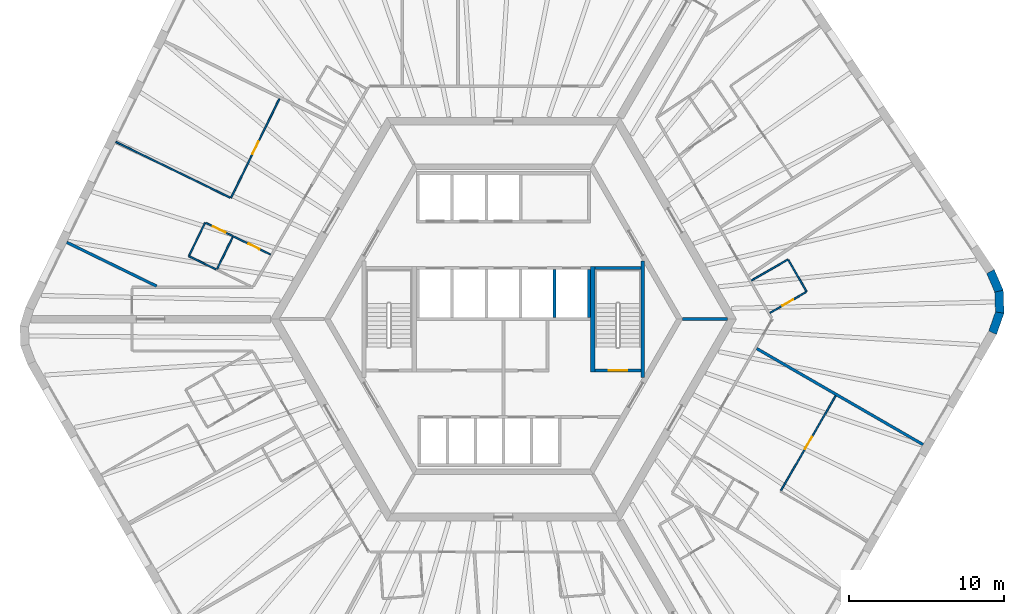
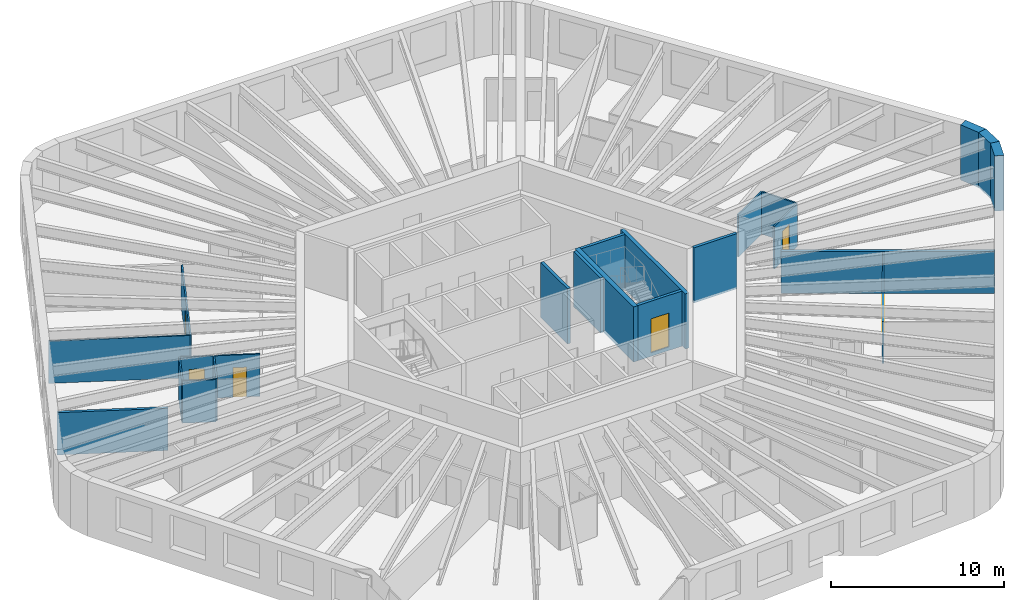
# One storey, part 6 of 10: 23 walls, 6 doors, 6 openings.
"""IFC4 building model written with IfcOpenShell, lengths in metres."""

import ifcopenshell
import ifcopenshell.guid

model = None  # the IFC model being written
_history = None  # IfcOwnerHistory: only IFC2X3 demands one
_inside = {}  # id of a spatial element -> (the spatial element, [elements in it])
_under = {}  # id of a project, library or spatial element -> (it, [spatial elements below it])
_declared = {}  # id of a project -> (the project, [libraries it declares])
_typed = {}  # id of a type object -> (the type object, [elements of that type])
_made_of = {}  # id of a material, layer set ... -> (it, [elements and type objects made of it])


def new_model(schema):
    """Start an empty IFC model of exactly this schema.

    Asked for "IFC4X3", IfcOpenShell would pick the latest addendum, in which some entities
    have other attributes; the version numbers below select the first issue.
    IFC2X3 requires an IfcOwnerHistory on every rooted entity: one is made here for all.
    """
    global model, _history
    if schema == "IFC4X3":
        model = ifcopenshell.file(schema_version=(4, 3, 0, 0))
    else:
        model = ifcopenshell.file(schema=schema)
    _inside.clear()
    _under.clear()
    _declared.clear()
    _typed.clear()
    _made_of.clear()
    _history = None
    if model.schema == "IFC2X3":
        org = make("IfcOrganization", Name="unknown")
        user = make(
            "IfcPersonAndOrganization",
            ThePerson=make("IfcPerson", FamilyName="unknown"),
            TheOrganization=org,
        )
        app = make(
            "IfcApplication",
            ApplicationDeveloper=org,
            Version="unknown",
            ApplicationFullName="unknown",
            ApplicationIdentifier="unknown",
        )
        _history = make(
            "IfcOwnerHistory",
            OwningUser=user,
            OwningApplication=app,
            ChangeAction="ADDED",
            CreationDate=0,
        )
    return model


def make(cls, **values):
    """One entity of the class cls with the attributes given. An attribute that is None is left unset."""
    return model.create_entity(
        cls, **{name: value for name, value in values.items() if value is not None}
    )


def rooted(cls, **values):
    """An entity with a GlobalId (a new one), such as an element, a storey or a relation."""
    return make(cls, GlobalId=ifcopenshell.guid.new(), OwnerHistory=_history, **values)


def si_unit(unit_type, name, prefix=None):
    """IfcSIUnit, for example si_unit("LENGTHUNIT", "METRE", prefix="MILLI")."""
    return make("IfcSIUnit", UnitType=unit_type, Prefix=prefix, Name=name)


def assignment(units):
    """IfcUnitAssignment: the units of a project."""
    return None if units is None else make("IfcUnitAssignment", Units=units)


def point(xyz):
    """IfcCartesianPoint."""
    return None if xyz is None else make("IfcCartesianPoint", Coordinates=xyz)


def direction(xyz):
    """IfcDirection."""
    return None if xyz is None else make("IfcDirection", DirectionRatios=xyz)


def frame(location, z_axis=None, x_axis=None):
    """IfcAxis2Placement3D, a coordinate frame: its origin and axes. An axis left out is left unset."""
    return make(
        "IfcAxis2Placement3D",
        Location=point(location),
        Axis=direction(z_axis),
        RefDirection=direction(x_axis),
    )


def frame_2d(location, x_axis=None):
    """IfcAxis2Placement2D, a coordinate frame in the plane: its origin and x axis."""
    return make(
        "IfcAxis2Placement2D", Location=point(location), RefDirection=direction(x_axis)
    )


def origin():
    """The frame at (0, 0, 0) with its axes left unset."""
    return frame((0.0, 0.0, 0.0))


def place(relative_to, where):
    """IfcLocalPlacement: puts the frame where relative to a parent placement (None: the world)."""
    return make(
        "IfcLocalPlacement", PlacementRelTo=relative_to, RelativePlacement=where
    )


def context(
    kind, dimensions, precision=None, world=None, true_north=None, identifier=None
):
    """IfcGeometricRepresentationContext, for example the 3D "Model" context."""
    return make(
        "IfcGeometricRepresentationContext",
        ContextIdentifier=identifier,
        ContextType=kind,
        CoordinateSpaceDimension=dimensions,
        Precision=precision,
        WorldCoordinateSystem=world,
        TrueNorth=true_north,
    )


def subcontext(parent, identifier, kind, view, scale=None):
    """IfcGeometricRepresentationSubContext, for example "Body" below "Model"."""
    return make(
        "IfcGeometricRepresentationSubContext",
        ContextIdentifier=identifier,
        ContextType=kind,
        ParentContext=parent,
        TargetScale=scale,
        TargetView=view,
    )


def project(units=None, contexts=None):
    """IfcProject with its units and contexts."""
    return rooted(
        "IfcProject",
        Name="project",
        RepresentationContexts=contexts,
        UnitsInContext=assignment(units),
    )


def spatial(cls, under=None, at=None, **own):
    """A site, building, storey or space (cls), placed at a placement, below another one or the project."""
    s = rooted(cls, ObjectPlacement=at, **own)
    if under is not None:
        _under.setdefault(under.id(), (under, []))[1].append(s)
    return s


def polyline(points):
    """IfcPolyline through the points."""
    return make("IfcPolyline", Points=[point(p) for p in points])


def profile(cls, at=None, kind="AREA", **sizes):
    """A parametric profile (cls). Its sizes go by their IFC names, for example OverallWidth=200.0."""
    return make(cls, ProfileType=kind, Position=at, **sizes)


def rectangle(**sizes):
    """IfcRectangleProfileDef."""
    return profile("IfcRectangleProfileDef", **sizes)


def outline(outer, holes=None, kind="AREA"):
    """IfcArbitraryClosedProfileDef: a profile drawn as a closed curve; with holes, ...WithVoids."""
    if holes is None:
        return make("IfcArbitraryClosedProfileDef", ProfileType=kind, OuterCurve=outer)
    return make(
        "IfcArbitraryProfileDefWithVoids",
        ProfileType=kind,
        OuterCurve=outer,
        InnerCurves=holes,
    )


def extrude(swept, where, along, depth):
    """IfcExtrudedAreaSolid: the profile swept, set in the frame where, extruded along a direction by depth."""
    return make(
        "IfcExtrudedAreaSolid",
        SweptArea=swept,
        Position=where,
        ExtrudedDirection=direction(along),
        Depth=depth,
    )


def shape(context_of_items, identifier, shape_type, items):
    """IfcShapeRepresentation: the items that make up one representation, for example the "Body"."""
    return make(
        "IfcShapeRepresentation",
        ContextOfItems=context_of_items,
        RepresentationIdentifier=identifier,
        RepresentationType=shape_type,
        Items=items,
    )


def material(Name=None, Category=None):
    """IfcMaterial."""
    return make("IfcMaterial", Name=Name, Category=Category)


def layer(
    of_material, thickness, ventilated=None, Name=None, Category=None, Priority=None
):
    """IfcMaterialLayer: one layer of a wall or slab, of a material (None: an air gap)."""
    return make(
        "IfcMaterialLayer",
        Material=of_material,
        LayerThickness=thickness,
        IsVentilated=ventilated,
        Name=Name,
        Category=Category,
        Priority=Priority,
    )


def layer_set(layers, Name=None):
    """IfcMaterialLayerSet."""
    return make("IfcMaterialLayerSet", MaterialLayers=layers, LayerSetName=Name)


def made_of(thing, what):
    """Note that an element or type object is made of a material, layer set ...; save() writes the relation."""
    if what is not None:
        _made_of.setdefault(what.id(), (what, []))[1].append(thing)
    return thing


def type_object(cls, material=None, **own):
    """A type object (cls), such as IfcWallType, which elements share."""
    return made_of(rooted(cls, **own), material)


def element(
    cls,
    number,
    at=None,
    inside=None,
    cuts=None,
    type_object=None,
    material=None,
    context=None,
    identifier="Body",
    shape_type=None,
    held_by="IfcProductDefinitionShape",
    body=None,
    shapes=None,
    **own,
):
    """One element of the class cls, such as IfcWall. Its Tag is "e" and its number.

    at: its placement. inside: the storey or other place that contains it. cuts: it is an
    opening in that element (IfcRelVoidsElement). A single representation is given by context,
    identifier, shape_type and body (its items); several are given by shapes. held_by: the class
    of the entity that holds the representations. save() writes the other relations.
    """
    e = rooted(cls, Tag="e%d" % number, ObjectPlacement=at, **own)
    if body is not None:
        shapes = [shape(context, identifier, shape_type, body)]
    if shapes is not None:
        e.Representation = make(held_by, Representations=shapes)
    if inside is not None:
        _inside.setdefault(inside.id(), (inside, []))[1].append(e)
    if cuts is not None:
        rooted(
            "IfcRelVoidsElement", RelatingBuildingElement=cuts, RelatedOpeningElement=e
        )
    if type_object is not None:
        _typed.setdefault(type_object.id(), (type_object, []))[1].append(e)
    return made_of(e, material)


def fill(opening, filler):
    """IfcRelFillsElement: the door or window that sits in an opening."""
    return rooted(
        "IfcRelFillsElement",
        RelatingOpeningElement=opening,
        RelatedBuildingElement=filler,
    )


def aggregate(whole, parts):
    """IfcRelAggregates: a whole, such as a stair, and the parts it consists of."""
    return rooted("IfcRelAggregates", RelatingObject=whole, RelatedObjects=parts)


def save(model, path):
    """Write the relations noted so far, then the file.

    IfcRelAggregates (storeys below a building ...), IfcRelContainedInSpatialStructure (elements
    in a storey), IfcRelDefinesByType, IfcRelAssociatesMaterial and IfcRelDeclares: one each for
    every whole, place, type object, material and project.
    """
    for whole, parts in _under.values():
        aggregate(whole, parts)
    for where, things in _inside.values():
        rooted(
            "IfcRelContainedInSpatialStructure",
            RelatedElements=things,
            RelatingStructure=where,
        )
    for kind, things in _typed.values():
        rooted("IfcRelDefinesByType", RelatedObjects=things, RelatingType=kind)
    for what, things in _made_of.values():
        rooted("IfcRelAssociatesMaterial", RelatedObjects=things, RelatingMaterial=what)
    for by, libraries in _declared.values():
        rooted("IfcRelDeclares", RelatingContext=by, RelatedDefinitions=libraries)
    model.write(path)


model = new_model("IFC4")

# Units and contexts
model_context = context("Model", 3, precision=1e-05, world=origin(), true_north=direction((0.0, 1.0)))
body_context = subcontext(model_context, "Body", "Model", "MODEL_VIEW")
ifc_project = project(units=[si_unit("LENGTHUNIT", "METRE"), si_unit("AREAUNIT", "SQUARE_METRE"), si_unit("VOLUMEUNIT", "CUBIC_METRE"), si_unit("PLANEANGLEUNIT", "RADIAN"), si_unit("MASSUNIT", "GRAM", prefix="KILO")], contexts=[model_context])

# Site, building, storey
site_placement = place(None, origin())
site = spatial("IfcSite", under=ifc_project, at=site_placement, CompositionType="ELEMENT")
building_placement = place(site_placement, origin())
building = spatial("IfcBuilding", under=site, at=building_placement, Name="Tarnside Tower", CompositionType="ELEMENT")
storey_placement = place(building_placement, frame((0.0, 0.0, 168.300048828125)))
storey = spatial("IfcBuildingStorey", under=building, at=storey_placement, Name="L39", CompositionType="ELEMENT", Elevation=168.300048828125)

# Wall, opening, door
ifc_material_1 = material(Name="Gypsum board partition on steel studs", Category="steel")
ifc_layer_1 = layer(ifc_material_1, 0.10009765625)
ifc_layer_set_1 = layer_set([ifc_layer_1], Name="Bathroom wall 100")
wall_type_1 = type_object("IfcWallType", Name="Bathroom wall 100", PredefinedType="PARTITIONING", material=ifc_layer_set_1)
wall_1_placement = place(storey_placement, frame((-17.412109375, 5.342041015625, 0.0), z_axis=(0.0, 0.0, 1.0), x_axis=(0.898825304183, -0.43830705283, 0.0)))
wall_1 = element("IfcWall", 1, at=wall_1_placement, inside=storey, type_object=wall_type_1, Name="Bathroom wall 12053", PredefinedType="PARTITIONING", context=body_context, shape_type="SweptSolid", body=[
    extrude(rectangle(XDim=2.681884765625, YDim=0.10009765625, at=frame_2d((1.3408203125, 0.0))), origin(), (0.0, 0.0, 1.0), 2.98779296875),
])
opening_1_placement = place(wall_1_placement, frame((1.10009765625, 0.0, 0.0)))
opening_1 = element("IfcOpeningElement", 2, at=opening_1_placement, cuts=wall_1, Name="Opening D-B1", PredefinedType="OPENING", context=body_context, shape_type="SweptSolid", body=[
    extrude(rectangle(XDim=0.800048828125, YDim=2.10009765625, at=frame_2d((0.39990234375, 1.050048828125))), frame((0.0, 0.06005859375, 0.0), z_axis=(0.0, -1.0, 0.0), x_axis=(1.0, 0.0, 0.0)), (0.0, 0.0, 1.0), 0.1201171875),
])
ifc_material_2 = material(Name="Timber door leaf", Category="wood")
door_type_1 = type_object("IfcDoorType", Name="Bathroom door 800", OperationType="NOTDEFINED", PredefinedType="DOOR", material=ifc_material_2)
door_1_placement = place(opening_1_placement, origin())
door_1 = element("IfcDoor", 3, at=door_1_placement, inside=storey, type_object=door_type_1, Name="Bathroom door 12006", OperationType="SINGLE_SWING_LEFT", OverallHeight=2.10009765625, OverallWidth=0.800048828125, PredefinedType="DOOR", context=body_context, shape_type="SweptSolid", body=[
    extrude(rectangle(XDim=0.800048828125, YDim=2.10009765625, at=frame_2d((0.39990234375, 1.050048828125))), frame((0.0, 0.02490234375, 0.0), z_axis=(0.0, -1.0, 0.0), x_axis=(1.0, 0.0, 0.0)), (0.0, 0.0, 1.0), 0.050048828125),
])
fill(opening_1, door_1)

# Walls
wall_2_placement = place(storey_placement, frame((-17.433837890625, 5.297119140625, 0.0), z_axis=(0.0, 0.0, 1.0), x_axis=(-0.438402718006, -0.898778647302, 0.0)))
element("IfcWall", 4, at=wall_2_placement, inside=storey, type_object=wall_type_1, Name="Bathroom wall 12060", PredefinedType="PARTITIONING", context=body_context, shape_type="SweptSolid", body=[
    extrude(rectangle(XDim=2.300048828125, YDim=0.10009765625, at=frame_2d((1.14990234375, 0.0))), origin(), (0.0, 0.0, 1.0), 2.98779296875),
])
wall_3_placement = place(storey_placement, frame((15.972900390625, 2.484375, 0.0), z_axis=(0.0, 0.0, 1.0), x_axis=(0.866051307416, 0.49995513091, 0.0)))
element("IfcWall", 5, at=wall_3_placement, inside=storey, type_object=wall_type_1, Name="Bathroom wall 12099", PredefinedType="PARTITIONING", context=body_context, shape_type="SweptSolid", body=[
    extrude(rectangle(XDim=2.724853515625, YDim=0.10009765625, at=frame_2d((1.3623046875, 0.0))), origin(), (0.0, 0.0, 1.0), 2.98779296875),
])
wall_4_placement = place(storey_placement, frame((18.357666015625, 3.803466796875, 0.0), z_axis=(0.0, 0.0, 1.0), x_axis=(0.500016218704, -0.866016039709, 0.0)))
element("IfcWall", 6, at=wall_4_placement, inside=storey, type_object=wall_type_1, Name="Bathroom wall 12100", PredefinedType="PARTITIONING", context=body_context, shape_type="SweptSolid", body=[
    extrude(rectangle(XDim=2.35009765625, YDim=0.10009765625, at=frame_2d((1.175048828125, 0.0))), origin(), (0.0, 0.0, 1.0), 2.98779296875),
])

# Wall, opening, door
wall_5_placement = place(storey_placement, frame((19.489501953125, 1.743408203125, 0.0), z_axis=(0.0, 0.0, 1.0), x_axis=(-0.866004723184, -0.50003581814, 0.0)))
wall_5 = element("IfcWall", 7, at=wall_5_placement, inside=storey, type_object=wall_type_1, Name="Bathroom wall 12101", PredefinedType="PARTITIONING", context=body_context, shape_type="SweptSolid", body=[
    extrude(rectangle(XDim=2.675048828125, YDim=0.10009765625, at=frame_2d((1.33740234375, 0.0))), origin(), (0.0, 0.0, 1.0), 2.98779296875),
])
opening_2_placement = place(wall_5_placement, frame((0.949951171875, 0.0, 0.0)))
opening_2 = element("IfcOpeningElement", 8, at=opening_2_placement, cuts=wall_5, Name="Opening D-B1", PredefinedType="OPENING", context=body_context, shape_type="SweptSolid", body=[
    extrude(rectangle(XDim=0.800048828125, YDim=2.10009765625, at=frame_2d((0.39990234375, 1.050048828125))), frame((0.0, 0.06005859375, 0.0), z_axis=(0.0, -1.0, 0.0), x_axis=(1.0, 0.0, 0.0)), (0.0, 0.0, 1.0), 0.1201171875),
])
door_2_placement = place(opening_2_placement, origin())
door_2 = element("IfcDoor", 9, at=door_2_placement, inside=storey, type_object=door_type_1, Name="Bathroom door 12029", OperationType="SINGLE_SWING_RIGHT", OverallHeight=2.10009765625, OverallWidth=0.800048828125, PredefinedType="DOOR", context=body_context, shape_type="SweptSolid", body=[
    extrude(rectangle(XDim=0.800048828125, YDim=2.10009765625, at=frame_2d((0.39990234375, 1.050048828125))), frame((0.0, 0.02490234375, 0.0), z_axis=(0.0, -1.0, 0.0), x_axis=(1.0, 0.0, 0.0)), (0.0, 0.0, 1.0), 0.050048828125),
])
fill(opening_2, door_2)

# Walls
ifc_layer_2 = layer(ifc_material_1, 0.179931640625)
ifc_layer_set_2 = layer_set([ifc_layer_2], Name="Demising wall 180 EI 60")
wall_type_2 = type_object("IfcWallType", Name="Demising wall 180 EI 60", PredefinedType="PARTITIONING", material=ifc_layer_set_2)
wall_6_placement = place(storey_placement, frame((-28.127197265625, 4.948974609375, 0.0), z_axis=(0.0, 0.0, 1.0), x_axis=(0.898795032868, -0.438369124017, 0.0)))
element("IfcWall", 10, at=wall_6_placement, inside=storey, type_object=wall_type_2, Name="Demising wall 12059", PredefinedType="PARTITIONING", context=body_context, shape_type="SweptSolid", body=[
    extrude(rectangle(XDim=6.44189453125, YDim=0.179931640625, at=frame_2d((3.220947265625, 0.0))), origin(), (0.0, 0.0, 1.0), 2.98779296875),
])
wall_7_placement = place(storey_placement, frame((27.03125, -8.080322265625, 0.0), z_axis=(0.0, 0.0, 1.0), x_axis=(-0.866024931941, 0.500000817256, 0.0)))
element("IfcWall", 11, at=wall_7_placement, inside=storey, type_object=wall_type_2, Name="Demising wall 12096", PredefinedType="PARTITIONING", context=body_context, shape_type="SweptSolid", body=[
    extrude(rectangle(XDim=12.375, YDim=0.179931640625, at=frame_2d((6.1875, 0.0))), origin(), (0.0, 0.0, 1.0), 2.98779296875),
])
ifc_material_3 = material(Name="Concrete C40/50", Category="concrete")
ifc_layer_3 = layer(ifc_material_3, 0.199951171875)
ifc_layer_set_3 = layer_set([ifc_layer_3], Name="Lift shaft wall 200 C40/50")
wall_type_3 = type_object("IfcWallType", Name="Lift shaft wall 200 C40/50", PredefinedType="SHEAR", material=ifc_layer_set_3)
for number, where, z_axis, x_axis, name in (
    (12, (3.300048828125, 0.10009765625, -0.25), (0.0, 0.0, 1.0), (0.0, 1.0, 0.0), "L39 lift shaft partition R25"),
    (13, (5.5, 0.10009765625, -0.25), (0.0, 0.0, 1.0), (0.0, 1.0, 0.0), "L39 lift shaft partition R26"),
):
    element("IfcWall", number, at=place(storey_placement, frame(where, z_axis=z_axis, x_axis=x_axis)), inside=storey, type_object=wall_type_3, Name=name, PredefinedType="SHEAR", context=body_context, shape_type="SweptSolid", body=[
        extrude(rectangle(XDim=3.099853515625, YDim=0.199951171875, at=frame_2d((1.5498046875, 0.0))), origin(), (0.0, 0.0, 1.0), 3.89990234375),
    ])
wall_8_placement = place(storey_placement, frame((11.547119140625, 0.0, -0.150146484375), z_axis=(0.0, 0.0, 1.0), x_axis=(1.0, 0.0, 0.0)))
element("IfcWall", 14, at=wall_8_placement, inside=storey, type_object=wall_type_3, Name="L39 core partition AR0", PredefinedType="SHEAR", context=body_context, shape_type="SweptSolid", body=[
    extrude(rectangle(XDim=2.88671875, YDim=0.199951171875, at=frame_2d((1.443359375, 0.0))), origin(), (0.0, 0.0, 1.0), 3.900146484375),
])
wall_9_placement = place(storey_placement, frame((5.89990234375, 3.300048828125, -0.25), z_axis=(0.0, 0.0, 1.0), x_axis=(1.0, 0.0, 0.0)))
element("IfcWall", 15, at=wall_9_placement, inside=storey, type_object=wall_type_3, Name="L39 stair 1 enclosure cap wall n", PredefinedType="SHEAR", context=body_context, shape_type="SweptSolid", body=[
    extrude(rectangle(XDim=2.9501953125, YDim=0.199951171875, at=frame_2d((1.47509765625, 0.0))), origin(), (0.0, 0.0, 1.0), 3.89990234375),
])

# Wall, opening, door
wall_10_placement = place(storey_placement, frame((5.89990234375, -3.300048828125, -0.25), z_axis=(0.0, 0.0, 1.0), x_axis=(1.0, 0.0, 0.0)))
wall_10 = element("IfcWall", 16, at=wall_10_placement, inside=storey, type_object=wall_type_3, Name="L39 stair 1 enclosure cap wall s", PredefinedType="SHEAR", context=body_context, shape_type="SweptSolid", body=[
    extrude(rectangle(XDim=2.9501953125, YDim=0.199951171875, at=frame_2d((1.47509765625, 0.0))), origin(), (0.0, 0.0, 1.0), 3.89990234375),
])
opening_3_placement = place(wall_10_placement, frame((0.875, 0.0, 0.25)))
opening_3 = element("IfcOpeningElement", 17, at=opening_3_placement, cuts=wall_10, Name="Opening CD-STR", PredefinedType="OPENING", context=body_context, shape_type="SweptSolid", body=[
    extrude(rectangle(XDim=1.199951171875, YDim=2.39990234375, at=frame_2d((0.60009765625, 1.199951171875))), frame((0.0, 0.10986328125, 0.0), z_axis=(0.0, -1.0, 0.0), x_axis=(1.0, 0.0, 0.0)), (0.0, 0.0, 1.0), 0.219970703125),
])
ifc_material_4 = material(Name="Steel fire door", Category="steel")
door_type_2 = type_object("IfcDoorType", Name="Stair door FD60S 1200x2400", OperationType="NOTDEFINED", PredefinedType="DOOR", material=ifc_material_4)
door_3_placement = place(opening_3_placement, origin())
door_3 = element("IfcDoor", 18, at=door_3_placement, inside=storey, type_object=door_type_2, Name="L39 stair 1 door", OperationType="SINGLE_SWING_LEFT", OverallHeight=2.39990234375, OverallWidth=1.199951171875, PredefinedType="DOOR", context=body_context, shape_type="SweptSolid", body=[
    extrude(rectangle(XDim=1.199951171875, YDim=2.39990234375, at=frame_2d((0.60009765625, 1.199951171875))), frame((0.0, 0.02490234375, 0.0), z_axis=(0.0, -1.0, 0.0), x_axis=(1.0, 0.0, 0.0)), (0.0, 0.0, 1.0), 0.050048828125),
])
fill(opening_3, door_3)

# Walls
ifc_layer_4 = layer(ifc_material_1, 0.10009765625)
ifc_layer_set_4 = layer_set([ifc_layer_4], Name="Partition 100")
wall_type_4 = type_object("IfcWallType", Name="Partition 100", PredefinedType="PARTITIONING", material=ifc_layer_set_4)
wall_11_placement = place(storey_placement, frame((-18.509033203125, 3.20703125, 0.0), z_axis=(0.0, 0.0, 1.0), x_axis=(-0.898815368173, 0.438327427772, 0.0)))
element("IfcWall", 19, at=wall_11_placement, inside=storey, type_object=wall_type_4, Name="Partition wall 12054", PredefinedType="PARTITIONING", context=body_context, shape_type="SweptSolid", body=[
    extrude(rectangle(XDim=1.949951171875, YDim=0.10009765625, at=frame_2d((0.97509765625, 0.0))), origin(), (0.0, 0.0, 1.0), 2.98779296875),
])
wall_12_placement = place(storey_placement, frame((-20.23974609375, 4.106689453125, 0.0), z_axis=(0.0, 0.0, 1.0), x_axis=(0.438382697704, 0.89878841245, 0.0)))
element("IfcWall", 20, at=wall_12_placement, inside=storey, type_object=wall_type_4, Name="Partition wall 12055", PredefinedType="PARTITIONING", context=body_context, shape_type="SweptSolid", body=[
    extrude(rectangle(XDim=2.35009765625, YDim=0.10009765625, at=frame_2d((1.175048828125, 0.0))), origin(), (0.0, 0.0, 1.0), 2.98779296875),
])

# Wall, opening, door
wall_13_placement = place(storey_placement, frame((-19.16455078125, 6.197021484375, 0.0), z_axis=(0.0, 0.0, 1.0), x_axis=(0.898753624926, -0.43845401319, 0.0)))
wall_13 = element("IfcWall", 21, at=wall_13_placement, inside=storey, type_object=wall_type_4, Name="Partition wall 12056", PredefinedType="PARTITIONING", context=body_context, shape_type="SweptSolid", body=[
    extrude(rectangle(XDim=1.89990234375, YDim=0.10009765625, at=frame_2d((0.949951171875, 0.0))), origin(), (0.0, 0.0, 1.0), 2.98779296875),
])
opening_4_placement = place(wall_13_placement, frame((0.5, 0.0, 0.0)))
opening_4 = element("IfcOpeningElement", 22, at=opening_4_placement, cuts=wall_13, Name="Opening D-I1", PredefinedType="OPENING", context=body_context, shape_type="SweptSolid", body=[
    extrude(rectangle(XDim=0.89990234375, YDim=2.10009765625, at=frame_2d((0.449951171875, 1.050048828125))), frame((0.0, 0.06005859375, 0.0), z_axis=(0.0, -1.0, 0.0), x_axis=(1.0, 0.0, 0.0)), (0.0, 0.0, 1.0), 0.1201171875),
])
door_type_3 = type_object("IfcDoorType", Name="Internal door 900", OperationType="NOTDEFINED", PredefinedType="DOOR", material=ifc_material_2)
door_4_placement = place(opening_4_placement, origin())
door_4 = element("IfcDoor", 23, at=door_4_placement, inside=storey, type_object=door_type_3, Name="Internal door 12007", OperationType="SINGLE_SWING_RIGHT", OverallHeight=2.10009765625, OverallWidth=0.89990234375, PredefinedType="DOOR", context=body_context, shape_type="SweptSolid", body=[
    extrude(rectangle(XDim=0.89990234375, YDim=2.10009765625, at=frame_2d((0.449951171875, 1.050048828125))), frame((0.0, 0.02490234375, 0.0), z_axis=(0.0, -1.0, 0.0), x_axis=(1.0, 0.0, 0.0)), (0.0, 0.0, 1.0), 0.050048828125),
])
fill(opening_4, door_4)

wall_14_placement = place(storey_placement, frame((-14.431396484375, 14.1904296875, 0.0), z_axis=(0.0, 0.0, 1.0), x_axis=(-0.438387776054, -0.898785935475, 0.0)))
wall_14 = element("IfcWall", 24, at=wall_14_placement, inside=storey, type_object=wall_type_4, Name="Partition wall 12057", PredefinedType="PARTITIONING", context=body_context, shape_type="SweptSolid", body=[
    extrude(rectangle(XDim=7.110107421875, YDim=0.10009765625, at=frame_2d((3.55517578125, 0.0))), origin(), (0.0, 0.0, 1.0), 2.98779296875),
])
opening_5_placement = place(wall_14_placement, frame((3.06005859375, 0.0, 0.0)))
opening_5 = element("IfcOpeningElement", 25, at=opening_5_placement, cuts=wall_14, Name="Opening D-I1", PredefinedType="OPENING", context=body_context, shape_type="SweptSolid", body=[
    extrude(rectangle(XDim=0.89990234375, YDim=2.10009765625, at=frame_2d((0.449951171875, 1.050048828125))), frame((0.0, 0.06005859375, 0.0), z_axis=(0.0, -1.0, 0.0), x_axis=(1.0, 0.0, 0.0)), (0.0, 0.0, 1.0), 0.1201171875),
])
door_5_placement = place(opening_5_placement, origin())
door_5 = element("IfcDoor", 26, at=door_5_placement, inside=storey, type_object=door_type_3, Name="Internal door 12008", OperationType="SINGLE_SWING_RIGHT", OverallHeight=2.10009765625, OverallWidth=0.89990234375, PredefinedType="DOOR", context=body_context, shape_type="SweptSolid", body=[
    extrude(rectangle(XDim=0.89990234375, YDim=2.10009765625, at=frame_2d((0.449951171875, 1.050048828125))), frame((0.0, 0.02490234375, 0.0), z_axis=(0.0, -1.0, 0.0), x_axis=(1.0, 0.0, 0.0)), (0.0, 0.0, 1.0), 0.050048828125),
])
fill(opening_5, door_5)

# Wall
wall_15_placement = place(storey_placement, frame((-17.59326171875, 7.822021484375, 0.0), z_axis=(0.0, 0.0, 1.0), x_axis=(-0.898803316846, 0.438352138842, 0.0)))
element("IfcWall", 27, at=wall_15_placement, inside=storey, type_object=wall_type_4, Name="Partition wall 12058", PredefinedType="PARTITIONING", context=body_context, shape_type="SweptSolid", body=[
    extrude(rectangle(XDim=8.208251953125, YDim=0.10009765625, at=frame_2d((4.10400390625, 0.0))), origin(), (0.0, 0.0, 1.0), 2.98779296875),
])

# Wall, opening, door
wall_16_placement = place(storey_placement, frame((17.870361328125, -11.04736328125, 0.0), z_axis=(0.0, 0.0, 1.0), x_axis=(0.500010820671, 0.866019156377, 0.0)))
wall_16 = element("IfcWall", 28, at=wall_16_placement, inside=storey, type_object=wall_type_4, Name="Partition wall 12095", PredefinedType="PARTITIONING", context=body_context, shape_type="SweptSolid", body=[
    extrude(rectangle(XDim=7.059814453125, YDim=0.10009765625, at=frame_2d((3.52978515625, 0.0))), origin(), (0.0, 0.0, 1.0), 2.98779296875),
])
opening_6_placement = place(wall_16_placement, frame((3.10009765625, 0.0, 0.0)))
opening_6 = element("IfcOpeningElement", 29, at=opening_6_placement, cuts=wall_16, Name="Opening D-I1", PredefinedType="OPENING", context=body_context, shape_type="SweptSolid", body=[
    extrude(rectangle(XDim=0.89990234375, YDim=2.10009765625, at=frame_2d((0.449951171875, 1.050048828125))), frame((0.0, 0.06005859375, 0.0), z_axis=(0.0, -1.0, 0.0), x_axis=(1.0, 0.0, 0.0)), (0.0, 0.0, 1.0), 0.1201171875),
])
door_6_placement = place(opening_6_placement, origin())
door_6 = element("IfcDoor", 30, at=door_6_placement, inside=storey, type_object=door_type_3, Name="Internal door 12027", OperationType="SINGLE_SWING_LEFT", OverallHeight=2.10009765625, OverallWidth=0.89990234375, PredefinedType="DOOR", context=body_context, shape_type="SweptSolid", body=[
    extrude(rectangle(XDim=0.89990234375, YDim=2.10009765625, at=frame_2d((0.449951171875, 1.050048828125))), frame((0.0, 0.02490234375, 0.0), z_axis=(0.0, -1.0, 0.0), x_axis=(1.0, 0.0, 0.0)), (0.0, 0.0, 1.0), 0.050048828125),
])
fill(opening_6, door_6)

# Walls
ifc_layer_5 = layer(ifc_material_3, 0.25)
ifc_layer_set_5 = layer_set([ifc_layer_5], Name="Stair enclosure wall 250 C40/50")
wall_type_5 = type_object("IfcWallType", Name="Stair enclosure wall 250 C40/50", PredefinedType="SHEAR", material=ifc_layer_set_5)
wall_17_placement = place(storey_placement, frame((8.97509765625, -3.7548828125, -0.25), z_axis=(0.0, 0.0, 1.0), x_axis=(0.0, 1.0, 0.0)))
element("IfcWall", 31, at=wall_17_placement, inside=storey, type_object=wall_type_5, Name="L39 stair 1 enclosure wall outer", PredefinedType="SHEAR", context=body_context, shape_type="SweptSolid", body=[
    extrude(rectangle(XDim=7.509765625, YDim=0.25, at=frame_2d((3.7548828125, 0.0))), origin(), (0.0, 0.0, 1.0), 3.89990234375),
])
ifc_layer_6 = layer(ifc_material_3, 0.300048828125)
ifc_layer_set_6 = layer_set([ifc_layer_6], Name="Stair enclosure wall 300 C40/50")
wall_type_6 = type_object("IfcWallType", Name="Stair enclosure wall 300 C40/50", PredefinedType="SHEAR", material=ifc_layer_set_6)
wall_18_placement = place(storey_placement, frame((5.75, -3.39990234375, -0.25), z_axis=(0.0, 0.0, 1.0), x_axis=(0.0, 1.0, 0.0)))
element("IfcWall", 32, at=wall_18_placement, inside=storey, type_object=wall_type_6, Name="L39 stair 1 enclosure wall inner", PredefinedType="SHEAR", context=body_context, shape_type="SweptSolid", body=[
    extrude(rectangle(XDim=6.7998046875, YDim=0.300048828125, at=frame_2d((3.39990234375, 0.0))), origin(), (0.0, 0.0, 1.0), 3.89990234375),
])
ifc_material_5 = material(Name="Facing brick", Category="masonry")
ifc_layer_7 = layer(ifc_material_5, 0.10205078125)
ifc_material_6 = material(Name="Concrete C60/75 precast", Category="concrete")
ifc_layer_8 = layer(ifc_material_6, 0.347900390625)
ifc_material_7 = material(Name="Mineral wool insulation")
ifc_layer_9 = layer(ifc_material_7, 0.10009765625)
ifc_layer_set_7 = layer_set([ifc_layer_7, ifc_layer_8, ifc_layer_9], Name="Tube wall 550 brick faced")
wall_type_7 = type_object("IfcWallType", Name="Tube wall 550 brick faced", PredefinedType="SOLIDWALL", material=ifc_layer_set_7)
wall_19_placement = place(storey_placement, frame((31.509033203125, -0.874755859375, -0.150146484375), z_axis=(0.0, 0.0, 1.0), x_axis=(0.33111537203, 0.943590276765, 0.0)))
element("IfcWall", 33, at=wall_19_placement, inside=storey, type_object=wall_type_7, Name="Tube wall L39 F5 chord 17", PredefinedType="SOLIDWALL", context=body_context, shape_type="SweptSolid", body=[
    extrude(outline(polyline([(-0.025634765625, -0.27490234375), (1.4306640625, -0.27490234375), (1.3271484375, 0.27490234375), (0.025634765625, 0.27490234375), (-0.025634765625, -0.27490234375)])), origin(), (0.0, 0.0, 1.0), 3.900146484375),
])
wall_20_placement = place(storey_placement, frame((31.965576171875, 0.42626953125, -0.150146484375), z_axis=(0.0, 0.0, 1.0), x_axis=(-0.034876908462, 0.999391615562, 0.0)))
element("IfcWall", 34, at=wall_20_placement, inside=storey, type_object=wall_type_7, Name="Tube wall L39 F5 chord 18", PredefinedType="SOLIDWALL", context=body_context, shape_type="SweptSolid", body=[
    extrude(outline(polyline([(-0.0517578125, -0.27490234375), (1.4306640625, -0.27490234375), (1.3271484375, 0.27490234375), (0.0517578125, 0.27490234375), (-0.0517578125, -0.27490234375)])), origin(), (0.0, 0.0, 1.0), 3.900146484375),
])
wall_21_placement = place(storey_placement, frame((31.91748046875, 1.804443359375, -0.150146484375), z_axis=(0.0, 0.0, 1.0), x_axis=(-0.396225741392, 0.918153125496, 0.0)))
element("IfcWall", 35, at=wall_21_placement, inside=storey, type_object=wall_type_7, Name="Tube wall L39 F5 chord 19", PredefinedType="SOLIDWALL", context=body_context, shape_type="SweptSolid", body=[
    extrude(outline(polyline([(-0.0517578125, -0.27490234375), (1.404541015625, -0.27490234375), (1.353271484375, 0.27490234375), (0.0517578125, 0.27490234375), (-0.0517578125, -0.27490234375)])), origin(), (0.0, 0.0, 1.0), 3.900146484375),
])

save(model, "model.ifc")
